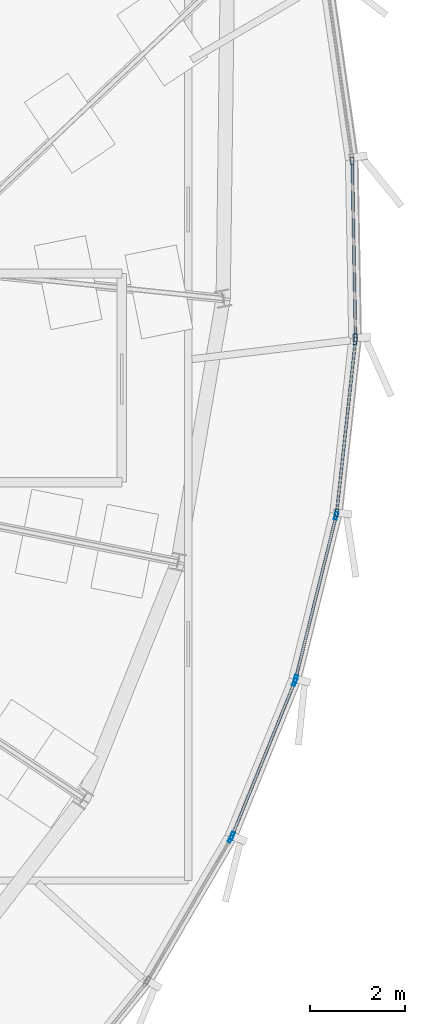
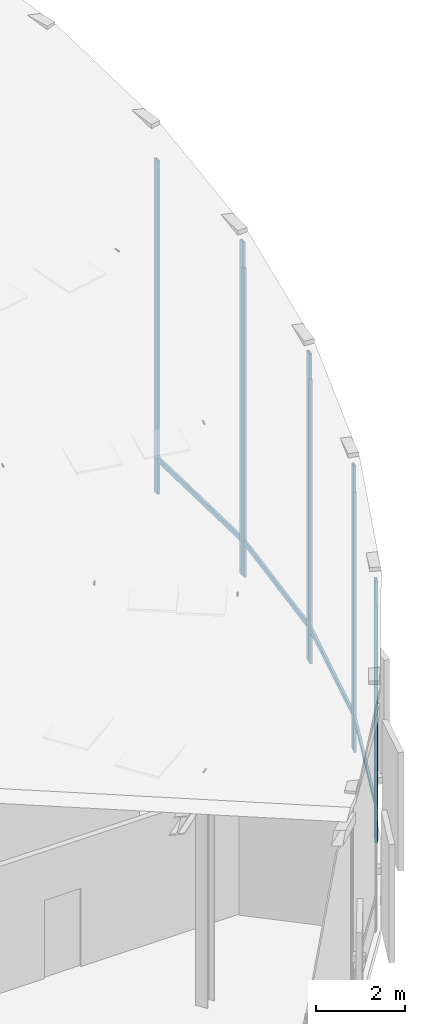
# One storey, part 15 of 36: 13 members, 5 elements without a shape of their own.
"""IFC4 building model written with IfcOpenShell, lengths in metres."""

from ifc_helpers import new_model, si_unit, direction, frame, origin, origin_2d, place, context, subcontext, project, spatial, hollow_rectangle, extrude, source, transform, mapped, material, layer, layer_set, material_profile, profile_set, type_object, element, aggregate, save


model = new_model("IFC4")

# Units and contexts
model_context = context("Model", 3, precision=1e-05, world=origin(), true_north=direction((0.0, 1.0)))
body_context = subcontext(model_context, "Body", "Model", "MODEL_VIEW")
ifc_project = project(units=[si_unit("LENGTHUNIT", "METRE"), si_unit("AREAUNIT", "SQUARE_METRE"), si_unit("VOLUMEUNIT", "CUBIC_METRE"), si_unit("PLANEANGLEUNIT", "RADIAN"), si_unit("MASSUNIT", "GRAM", prefix="KILO"), si_unit("THERMODYNAMICTEMPERATUREUNIT", "KELVIN")], contexts=[model_context])

# Site, building, storey
site_placement = place(None, origin())
site = spatial("IfcSite", under=ifc_project, at=site_placement, CompositionType="ELEMENT")
building_placement = place(site_placement, origin())
building = spatial("IfcBuilding", under=site, at=building_placement, Name="Kethvar Cultural Tower", CompositionType="ELEMENT")
storey_placement = place(building_placement, frame((0.0, 0.0, 324.300048828125)))
storey = spatial("IfcBuildingStorey", under=building, at=storey_placement, Name="L86", CompositionType="ELEMENT", Elevation=324.300048828125)

# Curtain wall, members
ifc_material = material(Name="Aluminium 6063-T6", Category="aluminium")
ifc_layer = layer(ifc_material, 0.179931640625, Name="Aluminium 6063-T6", Category="aluminium")
ifc_layer_set = layer_set([ifc_layer], Name="Aluminium 6063-T6 (180 mm)")
curtain_wall_type = type_object("IfcCurtainWallType", Name="CW-SYS-06-CROWN", PredefinedType="NOTDEFINED", material=ifc_layer_set)
curtain_wall_1_placement = place(storey_placement, origin())
curtain_wall_1 = element("IfcCurtainWall", 1, at=curtain_wall_1_placement, inside=storey, type_object=curtain_wall_type, Name="L86 Curtain Wall Run 30", PredefinedType="NOTDEFINED")
ifc_material_profile_1 = material_profile(ifc_material, hollow_rectangle(XDim=0.06494140625, YDim=0.159912109375, WallThickness=0.0048828125, at=origin_2d()), Name="Aluminium 6063-T6 — RHS160x65x5")
ifc_profile_set_1 = profile_set([ifc_material_profile_1], Name="Aluminium 6063-T6 — RHS160x65x5")
member_type_1 = type_object("IfcMemberType", Name="CW-SYS-06-CROWN-MUL", PredefinedType="MULLION", material=ifc_profile_set_1)
shared_shape_1 = source(origin(), body_context, "Body", "SweptSolid", [
    extrude(hollow_rectangle(XDim=0.06494140625, YDim=0.159912109375, WallThickness=0.0048828125, at=origin_2d()), origin(), (0.0, 0.0, 1.0), 9.15478515625),
])
member_1_placement = place(storey_placement, frame((64.0283203125, 29.846435546875, 0.0), z_axis=(0.0, 0.0, 1.0), x_axis=(-0.999829515958, -0.018464534112, 0.0)))
member_1 = element("IfcMember", 2, at=member_1_placement, type_object=member_type_1, Name="CW-L86-R30 Mullion 1", PredefinedType="MULLION", context=body_context, shape_type="MappedRepresentation", body=[
    mapped(shared_shape_1, transform((0.0, 0.0, 0.0), scale=1.0)),
])
member_2_placement = place(storey_placement, frame((63.95947265625, 33.57373046875, 0.0), z_axis=(0.0, 0.0, 1.0), x_axis=(-0.999829515958, -0.018464534112, 0.0)))
member_2 = element("IfcMember", 3, at=member_2_placement, type_object=member_type_1, Name="CW-L86-R30 Mullion 2", PredefinedType="MULLION", context=body_context, shape_type="MappedRepresentation", body=[
    mapped(shared_shape_1, transform((0.0, 0.0, 0.0), scale=1.0)),
])

curtain_wall_2_placement = place(storey_placement, origin())
curtain_wall_2 = element("IfcCurtainWall", 4, at=curtain_wall_2_placement, inside=storey, type_object=curtain_wall_type, Name="L86 Curtain Wall Run 29", PredefinedType="NOTDEFINED")
shared_shape_2 = source(origin(), body_context, "Body", "SweptSolid", [
    extrude(hollow_rectangle(XDim=0.06494140625, YDim=0.159912109375, WallThickness=0.0048828125, at=origin_2d()), origin(), (0.0, 0.0, 1.0), 8.479736328125),
])
member_3_placement = place(storey_placement, frame((63.631591796875, 26.15478515625, 0.0), z_axis=(0.0, 0.0, 1.0), x_axis=(-0.994149078877, 0.108016706897, 0.0)))
member_3 = element("IfcMember", 5, at=member_3_placement, type_object=member_type_1, Name="CW-L86-R29 Mullion 1", PredefinedType="MULLION", context=body_context, shape_type="MappedRepresentation", body=[
    mapped(shared_shape_2, transform((0.0, 0.0, 0.0), scale=1.0)),
])
member_4_placement = place(storey_placement, frame((64.025146484375, 29.777587890625, 0.0), z_axis=(0.0, 0.0, 1.0), x_axis=(-0.994149078877, 0.108016706897, 0.0)))
member_4 = element("IfcMember", 6, at=member_4_placement, type_object=member_type_1, Name="CW-L86-R29 Mullion 2", PredefinedType="MULLION", context=body_context, shape_type="MappedRepresentation", body=[
    mapped(shared_shape_2, transform((0.0, 0.0, 0.0), scale=1.0)),
])
ifc_material_profile_2 = material_profile(ifc_material, hollow_rectangle(XDim=0.06005859375, YDim=0.139892578125, WallThickness=0.0048828125, at=origin_2d()), Name="Aluminium 6063-T6 — RHS140x60x5")
ifc_profile_set_2 = profile_set([ifc_material_profile_2], Name="Aluminium 6063-T6 — RHS140x60x5")
member_type_2 = type_object("IfcMemberType", Name="CW-SYS-06-CROWN-TRN", PredefinedType="USERDEFINED", material=ifc_profile_set_2)
shared_shape_3 = source(origin(), body_context, "Body", "SweptSolid", [
    extrude(hollow_rectangle(XDim=0.06005859375, YDim=0.139892578125, WallThickness=0.0048828125, at=origin_2d()), origin(), (0.0, 0.0, 1.0), 3.634765625),
])
member_5_placement = place(storey_placement, frame((63.632080078125, 26.159423828125, 0.949951171875), z_axis=(0.10800578521, 0.994150265484, 0.0), x_axis=(-0.994150265484, 0.10800578521, 0.0)))
member_5 = element("IfcMember", 7, at=member_5_placement, type_object=member_type_2, Name="CW-L86-R29 Transom 1", ObjectType="TRANSOM", PredefinedType="USERDEFINED", context=body_context, shape_type="MappedRepresentation", body=[
    mapped(shared_shape_3, transform((0.0, 0.0, 0.0), scale=1.0)),
])
aggregate(curtain_wall_2, [member_3, member_4, member_5])

curtain_wall_3_placement = place(storey_placement, origin())
curtain_wall_3 = element("IfcCurtainWall", 8, at=curtain_wall_3_placement, inside=storey, type_object=curtain_wall_type, Name="L86 Curtain Wall Run 28", PredefinedType="NOTDEFINED")
shared_shape_4 = source(origin(), body_context, "Body", "SweptSolid", [
    extrude(hollow_rectangle(XDim=0.06494140625, YDim=0.159912109375, WallThickness=0.0048828125, at=origin_2d()), origin(), (0.0, 0.0, 1.0), 7.81005859375),
])
member_6_placement = place(storey_placement, frame((62.765625, 22.647705078125, 0.0), z_axis=(0.0, 0.0, 1.0), x_axis=(-0.9705359191, 0.240956489301, 0.0)))
member_6 = element("IfcMember", 9, at=member_6_placement, type_object=member_type_1, Name="CW-L86-R28 Mullion 1", PredefinedType="MULLION", context=body_context, shape_type="MappedRepresentation", body=[
    mapped(shared_shape_4, transform((0.0, 0.0, 0.0), scale=1.0)),
])
member_7_placement = place(storey_placement, frame((63.61962890625, 26.087890625, 0.0), z_axis=(0.0, 0.0, 1.0), x_axis=(-0.9705359191, 0.240956489301, 0.0)))
member_7 = element("IfcMember", 10, at=member_7_placement, type_object=member_type_1, Name="CW-L86-R28 Mullion 2", PredefinedType="MULLION", context=body_context, shape_type="MappedRepresentation", body=[
    mapped(shared_shape_4, transform((0.0, 0.0, 0.0), scale=1.0)),
])

curtain_wall_4_placement = place(storey_placement, origin())
curtain_wall_4 = element("IfcCurtainWall", 11, at=curtain_wall_4_placement, inside=storey, type_object=curtain_wall_type, Name="L86 Curtain Wall Run 27", PredefinedType="NOTDEFINED")
shared_shape_5 = source(origin(), body_context, "Body", "SweptSolid", [
    extrude(hollow_rectangle(XDim=0.06494140625, YDim=0.159912109375, WallThickness=0.0048828125, at=origin_2d()), origin(), (0.0, 0.0, 1.0), 7.147705078125),
])
member_8_placement = place(storey_placement, frame((61.42626953125, 19.337158203125, 0.0), z_axis=(0.0, 0.0, 1.0), x_axis=(-0.926515497603, 0.376256604861, 0.0)))
member_8 = element("IfcMember", 12, at=member_8_placement, type_object=member_type_1, Name="CW-L86-R27 Mullion 1", PredefinedType="MULLION", context=body_context, shape_type="MappedRepresentation", body=[
    mapped(shared_shape_5, transform((0.0, 0.0, 0.0), scale=1.0)),
])
member_9_placement = place(storey_placement, frame((62.744873046875, 22.583984375, 0.0), z_axis=(0.0, 0.0, 1.0), x_axis=(-0.926515497603, 0.376256604861, 0.0)))
member_9 = element("IfcMember", 13, at=member_9_placement, type_object=member_type_1, Name="CW-L86-R27 Mullion 2", PredefinedType="MULLION", context=body_context, shape_type="MappedRepresentation", body=[
    mapped(shared_shape_5, transform((0.0, 0.0, 0.0), scale=1.0)),
])
shared_shape_6 = source(origin(), body_context, "Body", "SweptSolid", [
    extrude(hollow_rectangle(XDim=0.06005859375, YDim=0.139892578125, WallThickness=0.0048828125, at=origin_2d()), origin(), (0.0, 0.0, 1.0), 3.4951171875),
])
member_10_placement = place(storey_placement, frame((61.427978515625, 19.34130859375, 0.949951171875), z_axis=(0.376287111342, 0.92650310838, 0.0), x_axis=(-0.92650310838, 0.376287111342, 0.0)))
member_10 = element("IfcMember", 14, at=member_10_placement, type_object=member_type_2, Name="CW-L86-R27 Transom 1", ObjectType="TRANSOM", PredefinedType="USERDEFINED", context=body_context, shape_type="MappedRepresentation", body=[
    mapped(shared_shape_6, transform((0.0, 0.0, 0.0), scale=1.0)),
])
aggregate(curtain_wall_4, [member_8, member_9, member_10])

# Curtain wall, member
curtain_wall_5_placement = place(storey_placement, origin())
curtain_wall_5 = element("IfcCurtainWall", 15, at=curtain_wall_5_placement, inside=storey, type_object=curtain_wall_type, Name="L86 Curtain Wall Run 26", PredefinedType="NOTDEFINED")
shared_shape_7 = source(origin(), body_context, "Body", "SweptSolid", [
    extrude(hollow_rectangle(XDim=0.06494140625, YDim=0.159912109375, WallThickness=0.0048828125, at=origin_2d()), origin(), (0.0, 0.0, 1.0), 6.505615234375),
])
member_11_placement = place(storey_placement, frame((61.396728515625, 19.277099609375, 0.0), z_axis=(0.0, 0.0, 1.0), x_axis=(-0.862601975623, 0.505883219381, 0.0)))
member_11 = element("IfcMember", 16, at=member_11_placement, type_object=member_type_1, Name="CW-L86-R26 Mullion 2", PredefinedType="MULLION", context=body_context, shape_type="MappedRepresentation", body=[
    mapped(shared_shape_7, transform((0.0, 0.0, 0.0), scale=1.0)),
])
aggregate(curtain_wall_5, [member_11])

# Member
shared_shape_8 = source(origin(), body_context, "Body", "SweptSolid", [
    extrude(hollow_rectangle(XDim=0.06005859375, YDim=0.139892578125, WallThickness=0.0048828125, at=origin_2d()), origin(), (0.0, 0.0, 1.0), 3.53564453125),
])
member_12_placement = place(storey_placement, frame((62.7666015625, 22.652099609375, 0.949951171875), z_axis=(0.240991800717, 0.970527151597, 0.0), x_axis=(-0.970527151597, 0.240991800717, 0.0)))
member_12 = element("IfcMember", 17, at=member_12_placement, type_object=member_type_2, Name="CW-L86-R28 Transom 1", ObjectType="TRANSOM", PredefinedType="USERDEFINED", context=body_context, shape_type="MappedRepresentation", body=[
    mapped(shared_shape_8, transform((0.0, 0.0, 0.0), scale=1.0)),
])

aggregate(curtain_wall_3, [member_6, member_7, member_12])

shared_shape_9 = source(origin(), body_context, "Body", "SweptSolid", [
    extrude(hollow_rectangle(XDim=0.06005859375, YDim=0.139892578125, WallThickness=0.0048828125, at=origin_2d()), origin(), (0.0, 0.0, 1.0), 3.71875),
])
member_13_placement = place(storey_placement, frame((64.0283203125, 29.85107421875, 0.949951171875), z_axis=(-0.018514128628, 0.999828598831, 0.0), x_axis=(-0.999828598831, -0.018514128628, 0.0)))
member_13 = element("IfcMember", 18, at=member_13_placement, type_object=member_type_2, Name="CW-L86-R30 Transom 1", ObjectType="TRANSOM", PredefinedType="USERDEFINED", context=body_context, shape_type="MappedRepresentation", body=[
    mapped(shared_shape_9, transform((0.0, 0.0, 0.0), scale=1.0)),
])

aggregate(curtain_wall_1, [member_1, member_2, member_13])

save(model, "model.ifc")
